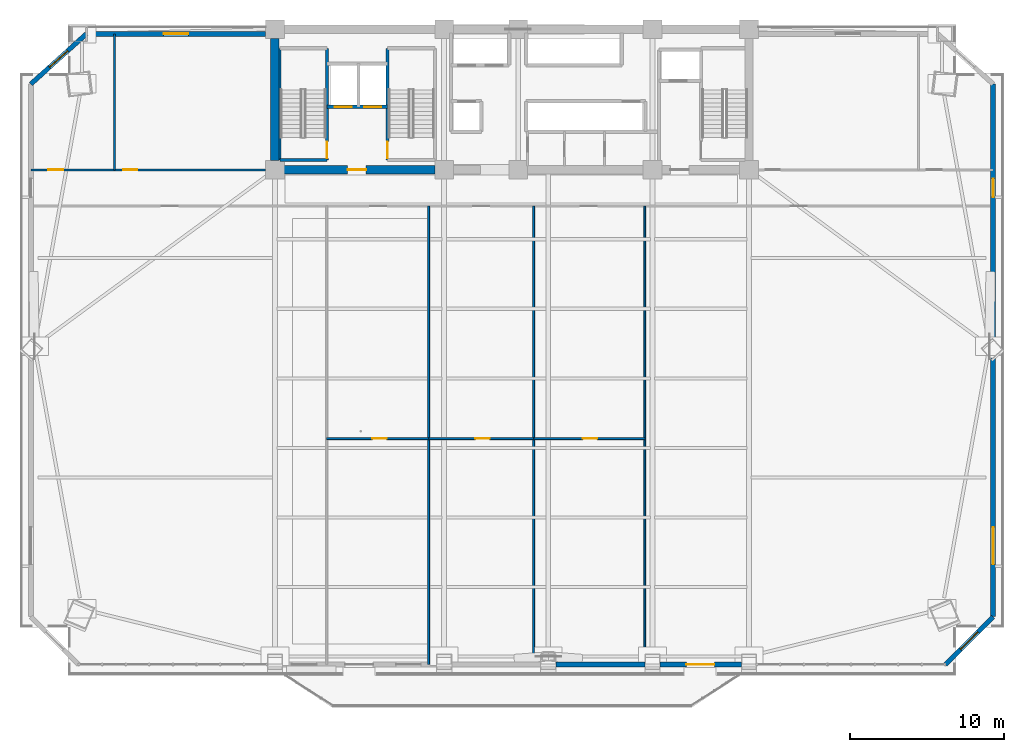
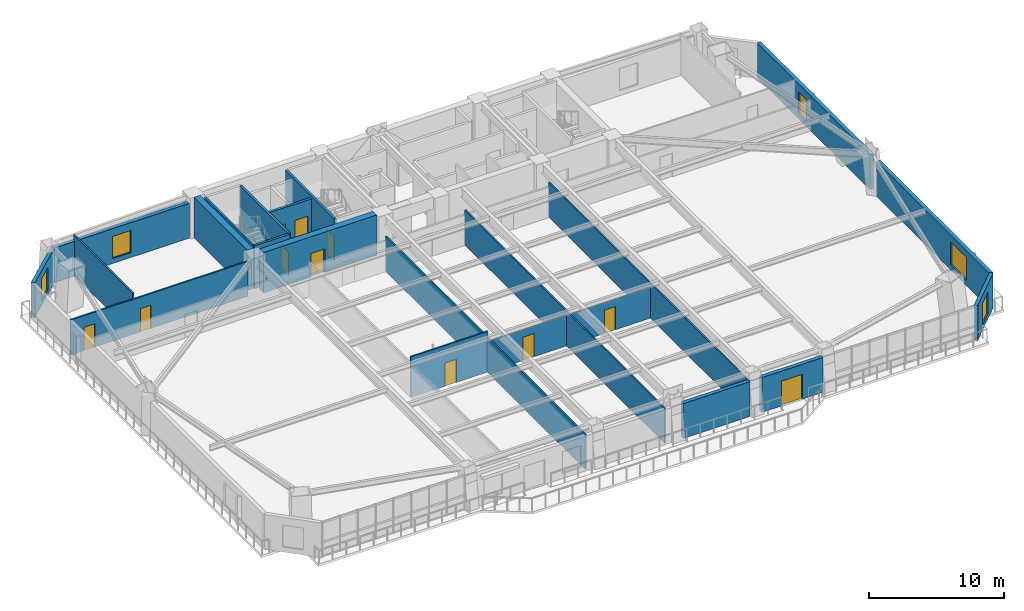
# One storey, part 8 of 16: 22 walls, 11 doors, 5 windows, 16 openings.
"""IFC4 building model written with IfcOpenShell, lengths in metres."""

import ifcopenshell
import ifcopenshell.guid

model = None  # the IFC model being written
_history = None  # IfcOwnerHistory: only IFC2X3 demands one
_inside = {}  # id of a spatial element -> (the spatial element, [elements in it])
_under = {}  # id of a project, library or spatial element -> (it, [spatial elements below it])
_declared = {}  # id of a project -> (the project, [libraries it declares])
_typed = {}  # id of a type object -> (the type object, [elements of that type])
_made_of = {}  # id of a material, layer set ... -> (it, [elements and type objects made of it])


def new_model(schema):
    """Start an empty IFC model of exactly this schema.

    Asked for "IFC4X3", IfcOpenShell would pick the latest addendum, in which some entities
    have other attributes; the version numbers below select the first issue.
    IFC2X3 requires an IfcOwnerHistory on every rooted entity: one is made here for all.
    """
    global model, _history
    if schema == "IFC4X3":
        model = ifcopenshell.file(schema_version=(4, 3, 0, 0))
    else:
        model = ifcopenshell.file(schema=schema)
    _inside.clear()
    _under.clear()
    _declared.clear()
    _typed.clear()
    _made_of.clear()
    _history = None
    if model.schema == "IFC2X3":
        org = make("IfcOrganization", Name="unknown")
        user = make(
            "IfcPersonAndOrganization",
            ThePerson=make("IfcPerson", FamilyName="unknown"),
            TheOrganization=org,
        )
        app = make(
            "IfcApplication",
            ApplicationDeveloper=org,
            Version="unknown",
            ApplicationFullName="unknown",
            ApplicationIdentifier="unknown",
        )
        _history = make(
            "IfcOwnerHistory",
            OwningUser=user,
            OwningApplication=app,
            ChangeAction="ADDED",
            CreationDate=0,
        )
    return model


def make(cls, **values):
    """One entity of the class cls with the attributes given. An attribute that is None is left unset."""
    return model.create_entity(
        cls, **{name: value for name, value in values.items() if value is not None}
    )


def rooted(cls, **values):
    """An entity with a GlobalId (a new one), such as an element, a storey or a relation."""
    return make(cls, GlobalId=ifcopenshell.guid.new(), OwnerHistory=_history, **values)


def si_unit(unit_type, name, prefix=None):
    """IfcSIUnit, for example si_unit("LENGTHUNIT", "METRE", prefix="MILLI")."""
    return make("IfcSIUnit", UnitType=unit_type, Prefix=prefix, Name=name)


def assignment(units):
    """IfcUnitAssignment: the units of a project."""
    return None if units is None else make("IfcUnitAssignment", Units=units)


def point(xyz):
    """IfcCartesianPoint."""
    return None if xyz is None else make("IfcCartesianPoint", Coordinates=xyz)


def direction(xyz):
    """IfcDirection."""
    return None if xyz is None else make("IfcDirection", DirectionRatios=xyz)


def frame(location, z_axis=None, x_axis=None):
    """IfcAxis2Placement3D, a coordinate frame: its origin and axes. An axis left out is left unset."""
    return make(
        "IfcAxis2Placement3D",
        Location=point(location),
        Axis=direction(z_axis),
        RefDirection=direction(x_axis),
    )


def frame_2d(location, x_axis=None):
    """IfcAxis2Placement2D, a coordinate frame in the plane: its origin and x axis."""
    return make(
        "IfcAxis2Placement2D", Location=point(location), RefDirection=direction(x_axis)
    )


def origin():
    """The frame at (0, 0, 0) with its axes left unset."""
    return frame((0.0, 0.0, 0.0))


def place(relative_to, where):
    """IfcLocalPlacement: puts the frame where relative to a parent placement (None: the world)."""
    return make(
        "IfcLocalPlacement", PlacementRelTo=relative_to, RelativePlacement=where
    )


def context(
    kind, dimensions, precision=None, world=None, true_north=None, identifier=None
):
    """IfcGeometricRepresentationContext, for example the 3D "Model" context."""
    return make(
        "IfcGeometricRepresentationContext",
        ContextIdentifier=identifier,
        ContextType=kind,
        CoordinateSpaceDimension=dimensions,
        Precision=precision,
        WorldCoordinateSystem=world,
        TrueNorth=true_north,
    )


def subcontext(parent, identifier, kind, view, scale=None):
    """IfcGeometricRepresentationSubContext, for example "Body" below "Model"."""
    return make(
        "IfcGeometricRepresentationSubContext",
        ContextIdentifier=identifier,
        ContextType=kind,
        ParentContext=parent,
        TargetScale=scale,
        TargetView=view,
    )


def project(units=None, contexts=None):
    """IfcProject with its units and contexts."""
    return rooted(
        "IfcProject",
        Name="project",
        RepresentationContexts=contexts,
        UnitsInContext=assignment(units),
    )


def spatial(cls, under=None, at=None, **own):
    """A site, building, storey or space (cls), placed at a placement, below another one or the project."""
    s = rooted(cls, ObjectPlacement=at, **own)
    if under is not None:
        _under.setdefault(under.id(), (under, []))[1].append(s)
    return s


def profile(cls, at=None, kind="AREA", **sizes):
    """A parametric profile (cls). Its sizes go by their IFC names, for example OverallWidth=200.0."""
    return make(cls, ProfileType=kind, Position=at, **sizes)


def rectangle(**sizes):
    """IfcRectangleProfileDef."""
    return profile("IfcRectangleProfileDef", **sizes)


def extrude(swept, where, along, depth):
    """IfcExtrudedAreaSolid: the profile swept, set in the frame where, extruded along a direction by depth."""
    return make(
        "IfcExtrudedAreaSolid",
        SweptArea=swept,
        Position=where,
        ExtrudedDirection=direction(along),
        Depth=depth,
    )


def shape(context_of_items, identifier, shape_type, items):
    """IfcShapeRepresentation: the items that make up one representation, for example the "Body"."""
    return make(
        "IfcShapeRepresentation",
        ContextOfItems=context_of_items,
        RepresentationIdentifier=identifier,
        RepresentationType=shape_type,
        Items=items,
    )


def source(mapping_origin, context_of_items, identifier, shape_type, items):
    """IfcRepresentationMap: a shape defined once, which mapped items show again and again."""
    return make(
        "IfcRepresentationMap",
        MappingOrigin=mapping_origin,
        MappedRepresentation=shape(context_of_items, identifier, shape_type, items),
    )


def transform(
    local_origin,
    x_axis=None,
    y_axis=None,
    z_axis=None,
    scale=None,
    scale2=None,
    scale3=None,
    uniform=True,
):
    """IfcCartesianTransformationOperator3D, or its non-uniform kind. x_axis, y_axis, z_axis: its Axis1, 2, 3."""
    if uniform:
        return make(
            "IfcCartesianTransformationOperator3D",
            Axis1=direction(x_axis),
            Axis2=direction(y_axis),
            LocalOrigin=point(local_origin),
            Scale=scale,
            Axis3=direction(z_axis),
        )
    return make(
        "IfcCartesianTransformationOperator3DnonUniform",
        Axis1=direction(x_axis),
        Axis2=direction(y_axis),
        LocalOrigin=point(local_origin),
        Scale=scale,
        Axis3=direction(z_axis),
        Scale2=scale2,
        Scale3=scale3,
    )


def mapped(mapping_source, mapping_target):
    """IfcMappedItem: shows the shape of a source again, moved by a transform."""
    return make(
        "IfcMappedItem", MappingSource=mapping_source, MappingTarget=mapping_target
    )


def material(Name=None, Category=None):
    """IfcMaterial."""
    return make("IfcMaterial", Name=Name, Category=Category)


def layer(
    of_material, thickness, ventilated=None, Name=None, Category=None, Priority=None
):
    """IfcMaterialLayer: one layer of a wall or slab, of a material (None: an air gap)."""
    return make(
        "IfcMaterialLayer",
        Material=of_material,
        LayerThickness=thickness,
        IsVentilated=ventilated,
        Name=Name,
        Category=Category,
        Priority=Priority,
    )


def layer_set(layers, Name=None):
    """IfcMaterialLayerSet."""
    return make("IfcMaterialLayerSet", MaterialLayers=layers, LayerSetName=Name)


def made_of(thing, what):
    """Note that an element or type object is made of a material, layer set ...; save() writes the relation."""
    if what is not None:
        _made_of.setdefault(what.id(), (what, []))[1].append(thing)
    return thing


def type_object(cls, material=None, **own):
    """A type object (cls), such as IfcWallType, which elements share."""
    return made_of(rooted(cls, **own), material)


def element(
    cls,
    number,
    at=None,
    inside=None,
    cuts=None,
    type_object=None,
    material=None,
    context=None,
    identifier="Body",
    shape_type=None,
    held_by="IfcProductDefinitionShape",
    body=None,
    shapes=None,
    **own,
):
    """One element of the class cls, such as IfcWall. Its Tag is "e" and its number.

    at: its placement. inside: the storey or other place that contains it. cuts: it is an
    opening in that element (IfcRelVoidsElement). A single representation is given by context,
    identifier, shape_type and body (its items); several are given by shapes. held_by: the class
    of the entity that holds the representations. save() writes the other relations.
    """
    e = rooted(cls, Tag="e%d" % number, ObjectPlacement=at, **own)
    if body is not None:
        shapes = [shape(context, identifier, shape_type, body)]
    if shapes is not None:
        e.Representation = make(held_by, Representations=shapes)
    if inside is not None:
        _inside.setdefault(inside.id(), (inside, []))[1].append(e)
    if cuts is not None:
        rooted(
            "IfcRelVoidsElement", RelatingBuildingElement=cuts, RelatedOpeningElement=e
        )
    if type_object is not None:
        _typed.setdefault(type_object.id(), (type_object, []))[1].append(e)
    return made_of(e, material)


def fill(opening, filler):
    """IfcRelFillsElement: the door or window that sits in an opening."""
    return rooted(
        "IfcRelFillsElement",
        RelatingOpeningElement=opening,
        RelatedBuildingElement=filler,
    )


def aggregate(whole, parts):
    """IfcRelAggregates: a whole, such as a stair, and the parts it consists of."""
    return rooted("IfcRelAggregates", RelatingObject=whole, RelatedObjects=parts)


def save(model, path):
    """Write the relations noted so far, then the file.

    IfcRelAggregates (storeys below a building ...), IfcRelContainedInSpatialStructure (elements
    in a storey), IfcRelDefinesByType, IfcRelAssociatesMaterial and IfcRelDeclares: one each for
    every whole, place, type object, material and project.
    """
    for whole, parts in _under.values():
        aggregate(whole, parts)
    for where, things in _inside.values():
        rooted(
            "IfcRelContainedInSpatialStructure",
            RelatedElements=things,
            RelatingStructure=where,
        )
    for kind, things in _typed.values():
        rooted("IfcRelDefinesByType", RelatedObjects=things, RelatingType=kind)
    for what, things in _made_of.values():
        rooted("IfcRelAssociatesMaterial", RelatedObjects=things, RelatingMaterial=what)
    for by, libraries in _declared.values():
        rooted("IfcRelDeclares", RelatingContext=by, RelatedDefinitions=libraries)
    model.write(path)


model = new_model("IFC4")

# Units and contexts
model_context = context("Model", 3, precision=1e-05, world=origin(), true_north=direction((0.0, 1.0)))
body_context = subcontext(model_context, "Body", "Model", "MODEL_VIEW")
ifc_project = project(units=[si_unit("LENGTHUNIT", "METRE"), si_unit("AREAUNIT", "SQUARE_METRE"), si_unit("VOLUMEUNIT", "CUBIC_METRE"), si_unit("PLANEANGLEUNIT", "RADIAN"), si_unit("MASSUNIT", "GRAM", prefix="KILO")], contexts=[model_context])

# Site, building, storey
site_placement = place(None, origin())
site = spatial("IfcSite", under=ifc_project, at=site_placement, CompositionType="ELEMENT")
building_placement = place(site_placement, origin())
building = spatial("IfcBuilding", under=site, at=building_placement, Name="Giltprow Tower", CompositionType="ELEMENT")
storey_placement = place(building_placement, frame((0.0, 0.0, 83.5)))
storey = spatial("IfcBuildingStorey", under=building, at=storey_placement, Name="L20", CompositionType="ELEMENT", Elevation=83.5)

# Wall, opening, window
ifc_material_1 = material(Name="Precast concrete C40", Category="concrete")
ifc_layer_1 = layer(ifc_material_1, 0.300048828125, Name="Precast concrete C40")
ifc_layer_set_1 = layer_set([ifc_layer_1], Name="Precast concrete C40")
wall_type_1 = type_object("IfcWallType", Name="EW-NOTCH-CHAMFER-300", PredefinedType="SOLIDWALL", material=ifc_layer_set_1)
wall_1_placement = place(storey_placement, frame((63.264892578125, 5.408935546875, 0.0), z_axis=(0.0, 0.0, 1.0), x_axis=(0.707134660098, 0.707078901175, 0.0)))
wall_1 = element("IfcWall", 1, at=wall_1_placement, inside=storey, type_object=wall_type_1, Name="L20 Corner Notch Wall SE", PredefinedType="SOLIDWALL", context=body_context, shape_type="SweptSolid", body=[
    extrude(rectangle(XDim=4.37841796875, YDim=0.300048828125, at=frame_2d((2.189208984375, 0.0))), origin(), (0.0, 0.0, 1.0), 3.159912109375),
])
opening_1_placement = place(wall_1_placement, frame((1.388916015625, 0.0, 0.449951171875)))
opening_1 = element("IfcOpeningElement", 2, at=opening_1_placement, cuts=wall_1, Name="Opening WN17", PredefinedType="OPENING", context=body_context, shape_type="SweptSolid", body=[
    extrude(rectangle(XDim=1.60009765625, YDim=2.0, at=frame_2d((0.800048828125, 1.0))), frame((0.0, 0.159912109375, 0.0), z_axis=(0.0, -1.0, 0.0), x_axis=(1.0, 0.0, 0.0)), (0.0, 0.0, 1.0), 0.320068359375),
])
ifc_material_2 = material(Name="Insulated glass", Category="glass")
window_type_1 = type_object("IfcWindowType", Name="WN-COR-1600x2000", PartitioningType="SINGLE_PANEL", PredefinedType="WINDOW", material=ifc_material_2)
shared_shape_1 = source(origin(), body_context, "Body", "SweptSolid", [
    extrude(rectangle(XDim=1.60009765625, YDim=2.0, at=frame_2d((0.800048828125, 1.0))), frame((0.0, 0.030029296875, 0.0), z_axis=(0.0, -1.0, 0.0), x_axis=(1.0, 0.0, 0.0)), (0.0, 0.0, 1.0), 0.06005859375),
])
window_1_placement = place(opening_1_placement, origin())
window_1 = element("IfcWindow", 3, at=window_1_placement, inside=storey, type_object=window_type_1, Name="L20 Corner Notch Window SE", OverallHeight=2.0, OverallWidth=1.60009765625, PartitioningType="SINGLE_PANEL", PredefinedType="WINDOW", context=body_context, shape_type="MappedRepresentation", body=[
    mapped(shared_shape_1, transform((0.0, 0.0, 0.0), x_axis=(1.0, 0.0, 0.0), y_axis=(0.0, 1.0, 0.0), z_axis=(0.0, 0.0, 1.0), scale=1.0)),
])
fill(opening_1, window_1)

wall_2_placement = place(storey_placement, frame((7.635986328125, 46.25, 0.0), z_axis=(0.0, 0.0, 1.0), x_axis=(-0.742293455996, -0.670074939977, 0.0)))
wall_2 = element("IfcWall", 4, at=wall_2_placement, inside=storey, type_object=wall_type_1, Name="L20 Corner Notch Wall NW", PredefinedType="SOLIDWALL", context=body_context, shape_type="SweptSolid", body=[
    extrude(rectangle(XDim=4.844482421875, YDim=0.300048828125, at=frame_2d((2.42236328125, 0.0))), origin(), (0.0, 0.0, 1.0), 3.159912109375),
])
opening_2_placement = place(wall_2_placement, frame((1.6220703125, 0.0, 0.449951171875)))
opening_2 = element("IfcOpeningElement", 5, at=opening_2_placement, cuts=wall_2, Name="Opening WN17", PredefinedType="OPENING", context=body_context, shape_type="SweptSolid", body=[
    extrude(rectangle(XDim=1.60009765625, YDim=2.0, at=frame_2d((0.800048828125, 1.0))), frame((0.0, 0.159912109375, 0.0), z_axis=(0.0, -1.0, 0.0), x_axis=(1.0, 0.0, 0.0)), (0.0, 0.0, 1.0), 0.320068359375),
])
window_2_placement = place(opening_2_placement, origin())
window_2 = element("IfcWindow", 6, at=window_2_placement, inside=storey, type_object=window_type_1, Name="L20 Corner Notch Window NW", OverallHeight=2.0, OverallWidth=1.60009765625, PartitioningType="SINGLE_PANEL", PredefinedType="WINDOW", context=body_context, shape_type="MappedRepresentation", body=[
    mapped(shared_shape_1, transform((0.0, 0.0, 0.0), x_axis=(1.0, 0.0, 0.0), y_axis=(0.0, 1.0, 0.0), z_axis=(0.0, 0.0, 1.0), scale=1.0)),
])
fill(opening_2, window_2)

# Wall
ifc_layer_2 = layer(ifc_material_1, 0.320068359375, Name="Precast concrete C40")
ifc_layer_set_2 = layer_set([ifc_layer_2], Name="Precast concrete C40")
wall_type_2 = type_object("IfcWallType", Name="EW-TOW-STONE-320", PredefinedType="SOLIDWALL", material=ifc_layer_set_2)
wall_3_placement = place(storey_placement, frame((38.050048828125, 5.408935546875, 0.0), z_axis=(0.0, 0.0, 1.0), x_axis=(1.0, 0.0, 0.0)))
element("IfcWall", 7, at=wall_3_placement, inside=storey, type_object=wall_type_2, Name="L20 South Expressed Frame Wall 4", PredefinedType="SOLIDWALL", context=body_context, shape_type="SweptSolid", body=[
    extrude(rectangle(XDim=5.75, YDim=0.320068359375, at=frame_2d((2.875, 0.0))), origin(), (0.0, 0.0, 1.0), 3.159912109375),
])

# Wall, opening, door
wall_4_placement = place(storey_placement, frame((44.800048828125, 5.408935546875, 0.0), z_axis=(0.0, 0.0, 1.0), x_axis=(1.0, 0.0, 0.0)))
wall_4 = element("IfcWall", 8, at=wall_4_placement, inside=storey, type_object=wall_type_2, Name="L20 South Expressed Frame Wall 5", PredefinedType="SOLIDWALL", context=body_context, shape_type="SweptSolid", body=[
    extrude(rectangle(XDim=5.25, YDim=0.320068359375, at=frame_2d((2.625, 0.0))), origin(), (0.0, 0.0, 1.0), 3.159912109375),
])
opening_3_placement = place(wall_4_placement, frame((1.699951171875, 0.0, 0.0)))
opening_3 = element("IfcOpeningElement", 9, at=opening_3_placement, cuts=wall_4, Name="Opening ED25", PredefinedType="OPENING", context=body_context, shape_type="SweptSolid", body=[
    extrude(rectangle(XDim=1.800048828125, YDim=2.25, at=frame_2d((0.89990234375, 1.125))), frame((0.0, 0.169921875, 0.0), z_axis=(0.0, -1.0, 0.0), x_axis=(1.0, 0.0, 0.0)), (0.0, 0.0, 1.0), 0.340087890625),
])
ifc_material_3 = material(Name="Anodized bronze and glass", Category="glass")
door_type_1 = type_object("IfcDoorType", Name="DR-BALC-SLIDE-1800", OperationType="SLIDING_TO_LEFT", PredefinedType="DOOR", material=ifc_material_3)
shared_shape_2 = source(origin(), body_context, "Body", "SweptSolid", [
    extrude(rectangle(XDim=1.800048828125, YDim=2.25, at=frame_2d((0.89990234375, 1.125))), frame((0.0, 0.02490234375, 0.0), z_axis=(0.0, -1.0, 0.0), x_axis=(1.0, 0.0, 0.0)), (0.0, 0.0, 1.0), 0.050048828125),
])
door_1_placement = place(opening_3_placement, origin())
door_1 = element("IfcDoor", 10, at=door_1_placement, inside=storey, type_object=door_type_1, Name="L20 Waterfront Balcony Sliding Door 2", OperationType="SLIDING_TO_LEFT", OverallHeight=2.25, OverallWidth=1.800048828125, PredefinedType="DOOR", context=body_context, shape_type="MappedRepresentation", body=[
    mapped(shared_shape_2, transform((0.0, 0.0, 0.0), x_axis=(1.0, 0.0, 0.0), y_axis=(0.0, 1.0, 0.0), z_axis=(0.0, 0.0, 1.0), scale=1.0)),
])
fill(opening_3, door_1)

# Wall, opening, window
wall_5_placement = place(storey_placement, frame((66.361083984375, 8.5048828125, 0.0), z_axis=(0.0, 0.0, 1.0), x_axis=(0.0, 1.0, 0.0)))
wall_5 = element("IfcWall", 11, at=wall_5_placement, inside=storey, type_object=wall_type_2, Name="L20 E Wing Masonry Wall 1", PredefinedType="SOLIDWALL", context=body_context, shape_type="SweptSolid", body=[
    extrude(rectangle(XDim=16.75, YDim=0.320068359375, at=frame_2d((8.375, 0.0))), origin(), (0.0, 0.0, 1.0), 3.159912109375),
])
opening_4_placement = place(wall_5_placement, frame((3.39501953125, 0.0, 0.449951171875)))
opening_4 = element("IfcOpeningElement", 12, at=opening_4_placement, cuts=wall_5, Name="Opening WN29", PredefinedType="OPENING", context=body_context, shape_type="SweptSolid", body=[
    extrude(rectangle(XDim=2.39990234375, YDim=2.10009765625, at=frame_2d((1.199951171875, 1.050048828125))), frame((0.0, 0.169921875, 0.0), z_axis=(0.0, -1.0, 0.0), x_axis=(1.0, 0.0, 0.0)), (0.0, 0.0, 1.0), 0.340087890625),
])
window_type_2 = type_object("IfcWindowType", Name="WN-OFF-2400x2100", PartitioningType="DOUBLE_PANEL_VERTICAL", PredefinedType="WINDOW", material=ifc_material_2)
shared_shape_3 = source(origin(), body_context, "Body", "SweptSolid", [
    extrude(rectangle(XDim=2.39990234375, YDim=2.10009765625, at=frame_2d((1.199951171875, 1.050048828125))), frame((0.0, 0.030029296875, 0.0), z_axis=(0.0, -1.0, 0.0), x_axis=(1.0, 0.0, 0.0)), (0.0, 0.0, 1.0), 0.06005859375),
])
window_3_placement = place(opening_4_placement, origin())
window_3 = element("IfcWindow", 13, at=window_3_placement, inside=storey, type_object=window_type_2, Name="L20 E Wing Window 1-1A", OverallHeight=2.10009765625, OverallWidth=2.39990234375, PartitioningType="SINGLE_PANEL", PredefinedType="WINDOW", context=body_context, shape_type="MappedRepresentation", body=[
    mapped(shared_shape_3, transform((0.0, 0.0, 0.0), x_axis=(1.0, 0.0, 0.0), y_axis=(0.0, 1.0, 0.0), z_axis=(0.0, 0.0, 1.0), scale=1.0)),
])
fill(opening_4, window_3)

wall_6_placement = place(storey_placement, frame((66.361083984375, 26.2548828125, 0.0), z_axis=(0.0, 0.0, 1.0), x_axis=(0.0, 1.0, 0.0)))
wall_6 = element("IfcWall", 14, at=wall_6_placement, inside=storey, type_object=wall_type_2, Name="L20 E Wing Masonry Wall 2", PredefinedType="SOLIDWALL", context=body_context, shape_type="SweptSolid", body=[
    extrude(rectangle(XDim=16.7490234375, YDim=0.320068359375, at=frame_2d((8.37451171875, 0.0))), origin(), (0.0, 0.0, 1.0), 3.159912109375),
])
opening_5_placement = place(wall_6_placement, frame((9.425048828125, 0.0, 0.449951171875)))
opening_5 = element("IfcOpeningElement", 15, at=opening_5_placement, cuts=wall_6, Name="Opening WN11", PredefinedType="OPENING", context=body_context, shape_type="SweptSolid", body=[
    extrude(rectangle(XDim=1.199951171875, YDim=2.0, at=frame_2d((0.60009765625, 1.0))), frame((0.0, 0.169921875, 0.0), z_axis=(0.0, -1.0, 0.0), x_axis=(1.0, 0.0, 0.0)), (0.0, 0.0, 1.0), 0.340087890625),
])
window_type_3 = type_object("IfcWindowType", Name="WN-LANCET-1200x2000", PartitioningType="SINGLE_PANEL", PredefinedType="WINDOW", material=ifc_material_2)
shared_shape_4 = source(origin(), body_context, "Body", "SweptSolid", [
    extrude(rectangle(XDim=1.199951171875, YDim=2.0, at=frame_2d((0.60009765625, 1.0))), frame((0.0, 0.030029296875, 0.0), z_axis=(0.0, -1.0, 0.0), x_axis=(1.0, 0.0, 0.0)), (0.0, 0.0, 1.0), 0.06005859375),
])
window_4_placement = place(opening_5_placement, origin())
window_4 = element("IfcWindow", 16, at=window_4_placement, inside=storey, type_object=window_type_3, Name="L20 E Wing Window 2-1", OverallHeight=2.0, OverallWidth=1.199951171875, PartitioningType="SINGLE_PANEL", PredefinedType="WINDOW", context=body_context, shape_type="MappedRepresentation", body=[
    mapped(shared_shape_4, transform((0.0, 0.0, 0.0), x_axis=(1.0, 0.0, 0.0), y_axis=(0.0, 1.0, 0.0), z_axis=(0.0, 0.0, 1.0), scale=1.0)),
])
fill(opening_5, window_4)

wall_7_placement = place(storey_placement, frame((7.635986328125, 46.25, 0.0), z_axis=(0.0, 0.0, 1.0), x_axis=(1.0, 0.0, 0.0)))
wall_7 = element("IfcWall", 17, at=wall_7_placement, inside=storey, type_object=wall_type_2, Name="L20 North-West Wing Wall", PredefinedType="SOLIDWALL", context=body_context, shape_type="SweptSolid", body=[
    extrude(rectangle(XDim=11.614013671875, YDim=0.320068359375, at=frame_2d((5.80712890625, 0.0))), origin(), (0.0, 0.0, 1.0), 3.159912109375),
])
opening_6_placement = place(wall_7_placement, frame((5.007080078125, 0.0, 0.449951171875)))
opening_6 = element("IfcOpeningElement", 18, at=opening_6_placement, cuts=wall_7, Name="Opening WN17", PredefinedType="OPENING", context=body_context, shape_type="SweptSolid", body=[
    extrude(rectangle(XDim=1.60009765625, YDim=2.0, at=frame_2d((0.800048828125, 1.0))), frame((0.0, 0.169921875, 0.0), z_axis=(0.0, -1.0, 0.0), x_axis=(1.0, 0.0, 0.0)), (0.0, 0.0, 1.0), 0.340087890625),
])
window_5_placement = place(opening_6_placement, origin())
window_5 = element("IfcWindow", 19, at=window_5_placement, inside=storey, type_object=window_type_1, Name="L20 North-West Window", OverallHeight=2.0, OverallWidth=1.60009765625, PartitioningType="SINGLE_PANEL", PredefinedType="WINDOW", context=body_context, shape_type="MappedRepresentation", body=[
    mapped(shared_shape_1, transform((0.0, 0.0, 0.0), x_axis=(1.0, 0.0, 0.0), y_axis=(0.0, 1.0, 0.0), z_axis=(0.0, 0.0, 1.0), scale=1.0)),
])
fill(opening_6, window_5)

# Wall, opening, door
ifc_material_4 = material(Name="Gypsum stud partition", Category="gypsum")
ifc_layer_3 = layer(ifc_material_4, 0.1201171875, Name="Gypsum stud partition")
ifc_layer_set_3 = layer_set([ifc_layer_3], Name="Gypsum stud partition")
wall_type_3 = type_object("IfcWallType", Name="IW-ROOM-120", PredefinedType="PARTITIONING", material=ifc_layer_set_3)
wall_8_placement = place(storey_placement, frame((23.199951171875, 20.0390625, 0.0), z_axis=(0.0, 0.0, 1.0), x_axis=(1.0, 0.0, 0.0)))
wall_8 = element("IfcWall", 20, at=wall_8_placement, inside=storey, type_object=wall_type_3, Name="L20 Office Mid Wall 2", PredefinedType="PARTITIONING", context=body_context, shape_type="SweptSolid", body=[
    extrude(rectangle(XDim=6.60009765625, YDim=0.1201171875, at=frame_2d((3.300048828125, 0.0))), origin(), (0.0, 0.0, 1.0), 3.679931640625),
])
opening_7_placement = place(wall_8_placement, frame((2.93505859375, 0.0, 0.0)))
opening_7 = element("IfcOpeningElement", 21, at=opening_7_placement, cuts=wall_8, Name="Opening ID11", PredefinedType="OPENING", context=body_context, shape_type="SweptSolid", body=[
    extrude(rectangle(XDim=0.949951171875, YDim=2.10009765625, at=frame_2d((0.47509765625, 1.050048828125))), frame((0.0, 0.070068359375, 0.0), z_axis=(0.0, -1.0, 0.0), x_axis=(1.0, 0.0, 0.0)), (0.0, 0.0, 1.0), 0.14013671875),
])
ifc_material_5 = material(Name="Engineered timber", Category="wood")
door_type_2 = type_object("IfcDoorType", Name="DR-ROOM-950", OperationType="SINGLE_SWING_RIGHT", PredefinedType="DOOR", material=ifc_material_5)
shared_shape_5 = source(origin(), body_context, "Body", "SweptSolid", [
    extrude(rectangle(XDim=0.949951171875, YDim=2.10009765625, at=frame_2d((0.47509765625, 1.050048828125))), frame((0.0, 0.02490234375, 0.0), z_axis=(0.0, -1.0, 0.0), x_axis=(1.0, 0.0, 0.0)), (0.0, 0.0, 1.0), 0.050048828125),
])
door_2_placement = place(opening_7_placement, origin())
door_2 = element("IfcDoor", 22, at=door_2_placement, inside=storey, type_object=door_type_2, Name="L20 Catering Prep Kitchen 2 Inner Door", OperationType="SINGLE_SWING_LEFT", OverallHeight=2.10009765625, OverallWidth=0.949951171875, PredefinedType="DOOR", context=body_context, shape_type="MappedRepresentation", body=[
    mapped(shared_shape_5, transform((0.0, 0.0, 0.0), x_axis=(1.0, 0.0, 0.0), y_axis=(0.0, 1.0, 0.0), z_axis=(0.0, 0.0, 1.0), scale=1.0)),
])
fill(opening_7, door_2)

# Wall
wall_9_placement = place(storey_placement, frame((29.800048828125, 5.408935546875, 0.0), z_axis=(0.0, 0.0, 1.0), x_axis=(0.0, 1.0, 0.0)))
element("IfcWall", 23, at=wall_9_placement, inside=storey, type_object=wall_type_3, Name="L20 Office Partition 2", PredefinedType="PARTITIONING", context=body_context, shape_type="SweptSolid", body=[
    extrude(rectangle(XDim=29.691162109375, YDim=0.1201171875, at=frame_2d((14.845703125, 0.0))), origin(), (0.0, 0.0, 1.0), 3.1650390625),
])

# Wall, opening, door
wall_10_placement = place(storey_placement, frame((29.800048828125, 20.0390625, 0.0), z_axis=(0.0, 0.0, 1.0), x_axis=(1.0, 0.0, 0.0)))
wall_10 = element("IfcWall", 24, at=wall_10_placement, inside=storey, type_object=wall_type_3, Name="L20 Office Mid Wall 3", PredefinedType="PARTITIONING", context=body_context, shape_type="SweptSolid", body=[
    extrude(rectangle(XDim=6.800048828125, YDim=0.1201171875, at=frame_2d((3.39990234375, 0.0))), origin(), (0.0, 0.0, 1.0), 2.764892578125),
])
opening_8_placement = place(wall_10_placement, frame((3.01904296875, 0.0, 0.0)))
opening_8 = element("IfcOpeningElement", 25, at=opening_8_placement, cuts=wall_10, Name="Opening ID11", PredefinedType="OPENING", context=body_context, shape_type="SweptSolid", body=[
    extrude(rectangle(XDim=0.949951171875, YDim=2.10009765625, at=frame_2d((0.47509765625, 1.050048828125))), frame((0.0, 0.070068359375, 0.0), z_axis=(0.0, -1.0, 0.0), x_axis=(1.0, 0.0, 0.0)), (0.0, 0.0, 1.0), 0.14013671875),
])
door_3_placement = place(opening_8_placement, origin())
door_3 = element("IfcDoor", 26, at=door_3_placement, inside=storey, type_object=door_type_2, Name="L20 Pastry Tasting Kitchen 3 Inner Door", OperationType="SINGLE_SWING_LEFT", OverallHeight=2.10009765625, OverallWidth=0.949951171875, PredefinedType="DOOR", context=body_context, shape_type="MappedRepresentation", body=[
    mapped(shared_shape_5, transform((0.0, 0.0, 0.0), x_axis=(1.0, 0.0, 0.0), y_axis=(0.0, 1.0, 0.0), z_axis=(0.0, 0.0, 1.0), scale=1.0)),
])
fill(opening_8, door_3)

# Wall
wall_11_placement = place(storey_placement, frame((36.60009765625, 5.408935546875, 0.0), z_axis=(0.0, 0.0, 1.0), x_axis=(0.0, 1.0, 0.0)))
element("IfcWall", 27, at=wall_11_placement, inside=storey, type_object=wall_type_3, Name="L20 Office Partition 3", PredefinedType="PARTITIONING", context=body_context, shape_type="SweptSolid", body=[
    extrude(rectangle(XDim=29.691162109375, YDim=0.1201171875, at=frame_2d((14.845703125, 0.0))), origin(), (0.0, 0.0, 1.0), 3.1650390625),
])

# Wall, opening, door
wall_12_placement = place(storey_placement, frame((36.60009765625, 20.0390625, 0.0), z_axis=(0.0, 0.0, 1.0), x_axis=(1.0, 0.0, 0.0)))
wall_12 = element("IfcWall", 28, at=wall_12_placement, inside=storey, type_object=wall_type_3, Name="L20 Office Mid Wall 4", PredefinedType="PARTITIONING", context=body_context, shape_type="SweptSolid", body=[
    extrude(rectangle(XDim=7.199951171875, YDim=0.1201171875, at=frame_2d((3.60009765625, 0.0))), origin(), (0.0, 0.0, 1.0), 2.764892578125),
])
opening_9_placement = place(wall_12_placement, frame((3.18701171875, 0.0, 0.0)))
opening_9 = element("IfcOpeningElement", 29, at=opening_9_placement, cuts=wall_12, Name="Opening ID11", PredefinedType="OPENING", context=body_context, shape_type="SweptSolid", body=[
    extrude(rectangle(XDim=0.949951171875, YDim=2.10009765625, at=frame_2d((0.47509765625, 1.050048828125))), frame((0.0, 0.070068359375, 0.0), z_axis=(0.0, -1.0, 0.0), x_axis=(1.0, 0.0, 0.0)), (0.0, 0.0, 1.0), 0.14013671875),
])
door_4_placement = place(opening_9_placement, origin())
door_4 = element("IfcDoor", 30, at=door_4_placement, inside=storey, type_object=door_type_2, Name="L20 Tea Ceremony Kitchen 4 Inner Door", OperationType="SINGLE_SWING_LEFT", OverallHeight=2.10009765625, OverallWidth=0.949951171875, PredefinedType="DOOR", context=body_context, shape_type="MappedRepresentation", body=[
    mapped(shared_shape_5, transform((0.0, 0.0, 0.0), x_axis=(1.0, 0.0, 0.0), y_axis=(0.0, 1.0, 0.0), z_axis=(0.0, 0.0, 1.0), scale=1.0)),
])
fill(opening_9, door_4)

# Wall
wall_13_placement = place(storey_placement, frame((43.800048828125, 5.408935546875, 0.0), z_axis=(0.0, 0.0, 1.0), x_axis=(0.0, 1.0, 0.0)))
element("IfcWall", 31, at=wall_13_placement, inside=storey, type_object=wall_type_3, Name="L20 Office Partition 4", PredefinedType="PARTITIONING", context=body_context, shape_type="SweptSolid", body=[
    extrude(rectangle(XDim=29.691162109375, YDim=0.1201171875, at=frame_2d((14.845703125, 0.0))), origin(), (0.0, 0.0, 1.0), 3.1650390625),
])

# Wall, openings, doors
ifc_material_6 = material(Name="Concrete C40", Category="concrete")
ifc_layer_4 = layer(ifc_material_6, 0.219970703125, Name="Concrete C40")
ifc_layer_set_4 = layer_set([ifc_layer_4], Name="Concrete C40")
wall_type_4 = type_object("IfcWallType", Name="IW-SHAFT-220", PredefinedType="SOLIDWALL", material=ifc_layer_set_4)
wall_14_placement = place(storey_placement, frame((23.219970703125, 41.52001953125, 0.0), z_axis=(0.0, 0.0, 1.0), x_axis=(1.0, 0.0, 0.0)))
wall_14 = element("IfcWall", 32, at=wall_14_placement, inside=storey, type_object=wall_type_4, Name="L20 FFL1 and Service Lift Front Wall", PredefinedType="SOLIDWALL", context=body_context, shape_type="SweptSolid", body=[
    extrude(rectangle(XDim=3.919921875, YDim=0.219970703125, at=frame_2d((1.9599609375, 0.0))), origin(), (0.0, 0.0, 1.0), 3.679931640625),
])
opening_10_placement = place(wall_14_placement, frame((0.5, 0.0, 0.0)))
opening_10 = element("IfcOpeningElement", 33, at=opening_10_placement, cuts=wall_14, Name="Opening LD-11", PredefinedType="OPENING", context=body_context, shape_type="SweptSolid", body=[
    extrude(rectangle(XDim=1.10009765625, YDim=2.199951171875, at=frame_2d((0.550048828125, 1.10009765625))), frame((0.0, 0.119873046875, 0.0), z_axis=(0.0, -1.0, 0.0), x_axis=(1.0, 0.0, 0.0)), (0.0, 0.0, 1.0), 0.239990234375),
])
opening_11_placement = place(wall_14_placement, frame((2.39990234375, 0.0, 0.0)))
opening_11 = element("IfcOpeningElement", 34, at=opening_11_placement, cuts=wall_14, Name="Opening LD-11", PredefinedType="OPENING", context=body_context, shape_type="SweptSolid", body=[
    extrude(rectangle(XDim=1.10009765625, YDim=2.199951171875, at=frame_2d((0.550048828125, 1.10009765625))), frame((0.0, 0.119873046875, 0.0), z_axis=(0.0, -1.0, 0.0), x_axis=(1.0, 0.0, 0.0)), (0.0, 0.0, 1.0), 0.239990234375),
])
ifc_material_7 = material(Name="Stainless steel", Category="steel")
door_type_3 = type_object("IfcDoorType", Name="DR-LIFT-LD1100", OperationType="SLIDING_TO_LEFT", PredefinedType="DOOR", material=ifc_material_7)
shared_shape_6 = source(origin(), body_context, "Body", "SweptSolid", [
    extrude(rectangle(XDim=1.10009765625, YDim=2.199951171875, at=frame_2d((0.550048828125, 1.10009765625))), frame((0.0, 0.02490234375, 0.0), z_axis=(0.0, -1.0, 0.0), x_axis=(1.0, 0.0, 0.0)), (0.0, 0.0, 1.0), 0.050048828125),
])
door_5_placement = place(opening_10_placement, origin())
door_5 = element("IfcDoor", 35, at=door_5_placement, inside=storey, type_object=door_type_3, Name="L20 FFL1 Landing Door", OperationType="SLIDING_TO_LEFT", OverallHeight=2.199951171875, OverallWidth=1.10009765625, PredefinedType="DOOR", context=body_context, shape_type="MappedRepresentation", body=[
    mapped(shared_shape_6, transform((0.0, 0.0, 0.0), x_axis=(1.0, 0.0, 0.0), y_axis=(0.0, 1.0, 0.0), z_axis=(0.0, 0.0, 1.0), scale=1.0)),
])
fill(opening_10, door_5)
door_6_placement = place(opening_11_placement, origin())
door_6 = element("IfcDoor", 36, at=door_6_placement, inside=storey, type_object=door_type_3, Name="L20 SVL1 Landing Door", OperationType="SLIDING_TO_LEFT", OverallHeight=2.199951171875, OverallWidth=1.10009765625, PredefinedType="DOOR", context=body_context, shape_type="MappedRepresentation", body=[
    mapped(shared_shape_6, transform((0.0, 0.0, 0.0), x_axis=(1.0, 0.0, 0.0), y_axis=(0.0, 1.0, 0.0), z_axis=(0.0, 0.0, 1.0), scale=1.0)),
])
fill(opening_11, door_6)

# Wall
ifc_material_8 = material(Name="Concrete C45", Category="concrete")
ifc_layer_5 = layer(ifc_material_8, 0.139892578125, Name="Concrete C45")
ifc_layer_set_5 = layer_set([ifc_layer_5], Name="Concrete C45")
wall_type_5 = type_object("IfcWallType", Name="IW-STAIR-140", PredefinedType="SOLIDWALL", material=ifc_layer_set_5)
wall_15_placement = place(storey_placement, frame((20.169921875, 38.070068359375, 0.0), z_axis=(0.0, 0.0, 1.0), x_axis=(0.0, 1.0, 0.0)))
element("IfcWall", 37, at=wall_15_placement, inside=storey, type_object=wall_type_5, Name="L20 Stair ST-1 West Bearing Wall", PredefinedType="SOLIDWALL", context=body_context, shape_type="SweptSolid", body=[
    extrude(rectangle(XDim=7.25, YDim=0.139892578125, at=frame_2d((3.625, 0.0))), origin(), (0.0, 0.0, 1.0), 3.89990234375),
])

# Wall, opening, door
ifc_layer_6 = layer(ifc_material_6, 0.199951171875, Name="Concrete C40")
ifc_layer_set_6 = layer_set([ifc_layer_6], Name="Concrete C40")
wall_type_6 = type_object("IfcWallType", Name="IW-STAIR-200", PredefinedType="SOLIDWALL", material=ifc_layer_set_6)
wall_16_placement = place(storey_placement, frame((23.219970703125, 38.070068359375, 0.0), z_axis=(0.0, 0.0, 1.0), x_axis=(0.0, 1.0, 0.0)))
wall_16 = element("IfcWall", 38, at=wall_16_placement, inside=storey, type_object=wall_type_6, Name="L20 Stair ST-1 East Bearing Wall", PredefinedType="SOLIDWALL", context=body_context, shape_type="SweptSolid", body=[
    extrude(rectangle(XDim=7.25, YDim=0.199951171875, at=frame_2d((3.625, 0.0))), origin(), (0.0, 0.0, 1.0), 3.89990234375),
])
opening_12_placement = place(wall_16_placement, frame((0.110107421875, 0.0, 0.0)))
opening_12 = element("IfcOpeningElement", 39, at=opening_12_placement, cuts=wall_16, Name="Opening ID33", PredefinedType="OPENING", context=body_context, shape_type="SweptSolid", body=[
    extrude(rectangle(XDim=1.10009765625, YDim=2.14990234375, at=frame_2d((0.550048828125, 1.074951171875))), frame((0.0, 0.10986328125, 0.0), z_axis=(0.0, -1.0, 0.0), x_axis=(1.0, 0.0, 0.0)), (0.0, 0.0, 1.0), 0.219970703125),
])
ifc_material_9 = material(Name="Steel fire leaf", Category="steel")
door_type_4 = type_object("IfcDoorType", Name="DR-STAIR-1100", OperationType="SINGLE_SWING_LEFT", PredefinedType="DOOR", material=ifc_material_9)
shared_shape_7 = source(origin(), body_context, "Body", "SweptSolid", [
    extrude(rectangle(XDim=1.10009765625, YDim=2.14990234375, at=frame_2d((0.550048828125, 1.074951171875))), frame((0.0, 0.02490234375, 0.0), z_axis=(0.0, -1.0, 0.0), x_axis=(1.0, 0.0, 0.0)), (0.0, 0.0, 1.0), 0.050048828125),
])
door_7_placement = place(opening_12_placement, origin())
door_7 = element("IfcDoor", 40, at=door_7_placement, inside=storey, type_object=door_type_4, Name="L20 Stair ST-1 Fire Door", OperationType="SINGLE_SWING_LEFT", OverallHeight=2.14990234375, OverallWidth=1.10009765625, PredefinedType="DOOR", context=body_context, shape_type="MappedRepresentation", body=[
    mapped(shared_shape_7, transform((0.0, 0.0, 0.0), x_axis=(1.0, 0.0, 0.0), y_axis=(0.0, 1.0, 0.0), z_axis=(0.0, 0.0, 1.0), scale=1.0)),
])
fill(opening_12, door_7)

# Wall
wall_17_placement = place(storey_placement, frame((20.169921875, 38.070068359375, 0.0), z_axis=(0.0, 0.0, 1.0), x_axis=(1.0, 0.0, 0.0)))
element("IfcWall", 41, at=wall_17_placement, inside=storey, type_object=wall_type_6, Name="L20 Stair ST-1 South Bearing Wall", PredefinedType="SOLIDWALL", context=body_context, shape_type="SweptSolid", body=[
    extrude(rectangle(XDim=3.050048828125, YDim=0.199951171875, at=frame_2d((1.52490234375, 0.0))), origin(), (0.0, 0.0, 1.0), 3.89990234375),
])

# Wall, opening, door
wall_18_placement = place(storey_placement, frame((27.139892578125, 38.070068359375, 0.0), z_axis=(0.0, 0.0, 1.0), x_axis=(0.0, 1.0, 0.0)))
wall_18 = element("IfcWall", 42, at=wall_18_placement, inside=storey, type_object=wall_type_6, Name="L20 Stair ST-2 West Bearing Wall", PredefinedType="SOLIDWALL", context=body_context, shape_type="SweptSolid", body=[
    extrude(rectangle(XDim=7.25, YDim=0.199951171875, at=frame_2d((3.625, 0.0))), origin(), (0.0, 0.0, 1.0), 3.89990234375),
])
opening_13_placement = place(wall_18_placement, frame((0.110107421875, 0.0, 0.0)))
opening_13 = element("IfcOpeningElement", 43, at=opening_13_placement, cuts=wall_18, Name="Opening ID33", PredefinedType="OPENING", context=body_context, shape_type="SweptSolid", body=[
    extrude(rectangle(XDim=1.10009765625, YDim=2.14990234375, at=frame_2d((0.550048828125, 1.074951171875))), frame((0.0, 0.10986328125, 0.0), z_axis=(0.0, -1.0, 0.0), x_axis=(1.0, 0.0, 0.0)), (0.0, 0.0, 1.0), 0.219970703125),
])
door_8_placement = place(opening_13_placement, origin())
door_8 = element("IfcDoor", 44, at=door_8_placement, inside=storey, type_object=door_type_4, Name="L20 Stair ST-2 Fire Door", OperationType="SINGLE_SWING_RIGHT", OverallHeight=2.14990234375, OverallWidth=1.10009765625, PredefinedType="DOOR", context=body_context, shape_type="MappedRepresentation", body=[
    mapped(shared_shape_7, transform((0.0, 0.0, 0.0), x_axis=(1.0, 0.0, 0.0), y_axis=(0.0, 1.0, 0.0), z_axis=(0.0, 0.0, 1.0), scale=1.0)),
])
fill(opening_13, door_8)

# Wall, openings, doors
ifc_material_10 = material(Name="Concrete C30", Category="concrete")
ifc_layer_7 = layer(ifc_material_10, 0.1298828125, Name="Concrete C30")
ifc_layer_set_7 = layer_set([ifc_layer_7], Name="Concrete C30")
wall_type_7 = type_object("IfcWallType", Name="IW-WET-130", PredefinedType="PARTITIONING", material=ifc_layer_set_7)
wall_19_placement = place(storey_placement, frame((4.0400390625, 37.449951171875, 0.0), z_axis=(0.0, 0.0, 1.0), x_axis=(1.0, 0.0, 0.0)))
wall_19 = element("IfcWall", 45, at=wall_19_placement, inside=storey, type_object=wall_type_7, Name="L20 NW Wing South Wall", PredefinedType="PARTITIONING", context=body_context, shape_type="SweptSolid", body=[
    extrude(rectangle(XDim=15.2099609375, YDim=0.1298828125, at=frame_2d((7.60498046875, 0.0))), origin(), (0.0, 0.0, 1.0), 3.1650390625),
])
opening_14_placement = place(wall_19_placement, frame((1.135009765625, 0.0, 0.0)))
opening_14 = element("IfcOpeningElement", 46, at=opening_14_placement, cuts=wall_19, Name="Opening ID11", PredefinedType="OPENING", context=body_context, shape_type="SweptSolid", body=[
    extrude(rectangle(XDim=0.949951171875, YDim=2.10009765625, at=frame_2d((0.47509765625, 1.050048828125))), frame((0.0, 0.074951171875, 0.0), z_axis=(0.0, -1.0, 0.0), x_axis=(1.0, 0.0, 0.0)), (0.0, 0.0, 1.0), 0.14990234375),
])
opening_15_placement = place(wall_19_placement, frame((5.97412109375, 0.0, 0.0)))
opening_15 = element("IfcOpeningElement", 47, at=opening_15_placement, cuts=wall_19, Name="Opening ID15", PredefinedType="OPENING", context=body_context, shape_type="SweptSolid", body=[
    extrude(rectangle(XDim=0.89990234375, YDim=2.10009765625, at=frame_2d((0.449951171875, 1.050048828125))), frame((0.0, 0.074951171875, 0.0), z_axis=(0.0, -1.0, 0.0), x_axis=(1.0, 0.0, 0.0)), (0.0, 0.0, 1.0), 0.14990234375),
])
door_type_5 = type_object("IfcDoorType", Name="DR-WC-900", OperationType="SINGLE_SWING_LEFT", PredefinedType="DOOR", material=ifc_material_5)
shared_shape_8 = source(origin(), body_context, "Body", "SweptSolid", [
    extrude(rectangle(XDim=0.89990234375, YDim=2.10009765625, at=frame_2d((0.449951171875, 1.050048828125))), frame((0.0, 0.02490234375, 0.0), z_axis=(0.0, -1.0, 0.0), x_axis=(1.0, 0.0, 0.0)), (0.0, 0.0, 1.0), 0.050048828125),
])
door_9_placement = place(opening_15_placement, origin())
door_9 = element("IfcDoor", 48, at=door_9_placement, inside=storey, type_object=door_type_5, Name="L20 NW Washroom Door", OperationType="SINGLE_SWING_RIGHT", OverallHeight=2.10009765625, OverallWidth=0.89990234375, PredefinedType="DOOR", context=body_context, shape_type="MappedRepresentation", body=[
    mapped(shared_shape_8, transform((0.0, 0.0, 0.0), x_axis=(1.0, 0.0, 0.0), y_axis=(0.0, 1.0, 0.0), z_axis=(0.0, 0.0, 1.0), scale=1.0)),
])
fill(opening_15, door_9)
door_10_placement = place(opening_14_placement, origin())
door_10 = element("IfcDoor", 49, at=door_10_placement, inside=storey, type_object=door_type_2, Name="L20 West Tenant Office West Door", OperationType="SINGLE_SWING_LEFT", OverallHeight=2.10009765625, OverallWidth=0.949951171875, PredefinedType="DOOR", context=body_context, shape_type="MappedRepresentation", body=[
    mapped(shared_shape_5, transform((0.0, 0.0, 0.0), x_axis=(1.0, 0.0, 0.0), y_axis=(0.0, 1.0, 0.0), z_axis=(0.0, 0.0, 1.0), scale=1.0)),
])
fill(opening_14, door_10)

# Wall
wall_20_placement = place(storey_placement, frame((9.464111328125, 37.449951171875, 0.0), z_axis=(0.0, 0.0, 1.0), x_axis=(0.0, 1.0, 0.0)))
element("IfcWall", 50, at=wall_20_placement, inside=storey, type_object=wall_type_7, Name="L20 NW Wing Divider", PredefinedType="PARTITIONING", context=body_context, shape_type="SweptSolid", body=[
    extrude(rectangle(XDim=8.800048828125, YDim=0.1298828125, at=frame_2d((4.39990234375, 0.0))), origin(), (0.0, 0.0, 1.0), 3.679931640625),
])

# Wall, opening, door
ifc_material_11 = material(Name="Concrete C60", Category="concrete")
ifc_layer_8 = layer(ifc_material_11, 0.550048828125, Name="Concrete C60")
ifc_layer_set_8 = layer_set([ifc_layer_8], Name="Concrete C60")
wall_type_8 = type_object("IfcWallType", Name="SW-INT-550-C60", PredefinedType="SHEAR", material=ifc_layer_set_8)
wall_21_placement = place(storey_placement, frame((20.449951171875, 37.449951171875, 0.0), z_axis=(0.0, 0.0, 1.0), x_axis=(1.0, 0.0, 0.0)))
wall_21 = element("IfcWall", 51, at=wall_21_placement, inside=storey, type_object=wall_type_8, Name="L20 South Rear Core Shear Wall West", PredefinedType="SHEAR", context=body_context, shape_type="SweptSolid", body=[
    extrude(rectangle(XDim=9.75, YDim=0.550048828125, at=frame_2d((4.875, 0.0))), origin(), (0.0, 0.0, 1.0), 3.679931640625),
])
opening_16_placement = place(wall_21_placement, frame((4.10009765625, 0.0, 0.0)))
opening_16 = element("IfcOpeningElement", 52, at=opening_16_placement, cuts=wall_21, Name="Opening ID19", PredefinedType="OPENING", context=body_context, shape_type="SweptSolid", body=[
    extrude(rectangle(XDim=1.199951171875, YDim=2.14990234375, at=frame_2d((0.60009765625, 1.074951171875))), frame((0.0, 0.284912109375, 0.0), z_axis=(0.0, -1.0, 0.0), x_axis=(1.0, 0.0, 0.0)), (0.0, 0.0, 1.0), 0.570068359375),
])
door_type_6 = type_object("IfcDoorType", Name="DR-FFLOBBY-1200", OperationType="SINGLE_SWING_RIGHT", PredefinedType="DOOR", material=ifc_material_9)
shared_shape_9 = source(origin(), body_context, "Body", "SweptSolid", [
    extrude(rectangle(XDim=1.199951171875, YDim=2.14990234375, at=frame_2d((0.60009765625, 1.074951171875))), frame((0.0, 0.02490234375, 0.0), z_axis=(0.0, -1.0, 0.0), x_axis=(1.0, 0.0, 0.0)), (0.0, 0.0, 1.0), 0.050048828125),
])
door_11_placement = place(opening_16_placement, origin())
door_11 = element("IfcDoor", 53, at=door_11_placement, inside=storey, type_object=door_type_6, Name="L20 West Firefighting Lobby Entry Door", OperationType="SINGLE_SWING_RIGHT", OverallHeight=2.14990234375, OverallWidth=1.199951171875, PredefinedType="DOOR", context=body_context, shape_type="MappedRepresentation", body=[
    mapped(shared_shape_9, transform((0.0, 0.0, 0.0), x_axis=(1.0, 0.0, 0.0), y_axis=(0.0, 1.0, 0.0), z_axis=(0.0, 0.0, 1.0), scale=1.0)),
])
fill(opening_16, door_11)

# Wall
wall_22_placement = place(storey_placement, frame((19.85009765625, 38.050048828125, 0.0), z_axis=(0.0, 0.0, 1.0), x_axis=(0.0, 1.0, 0.0)))
element("IfcWall", 54, at=wall_22_placement, inside=storey, type_object=wall_type_8, Name="L20 W Rear Core Shear Wall", PredefinedType="SHEAR", context=body_context, shape_type="SweptSolid", body=[
    extrude(rectangle(XDim=7.89990234375, YDim=0.550048828125, at=frame_2d((3.949951171875, 0.0))), origin(), (0.0, 0.0, 1.0), 3.679931640625),
])

save(model, "model.ifc")
